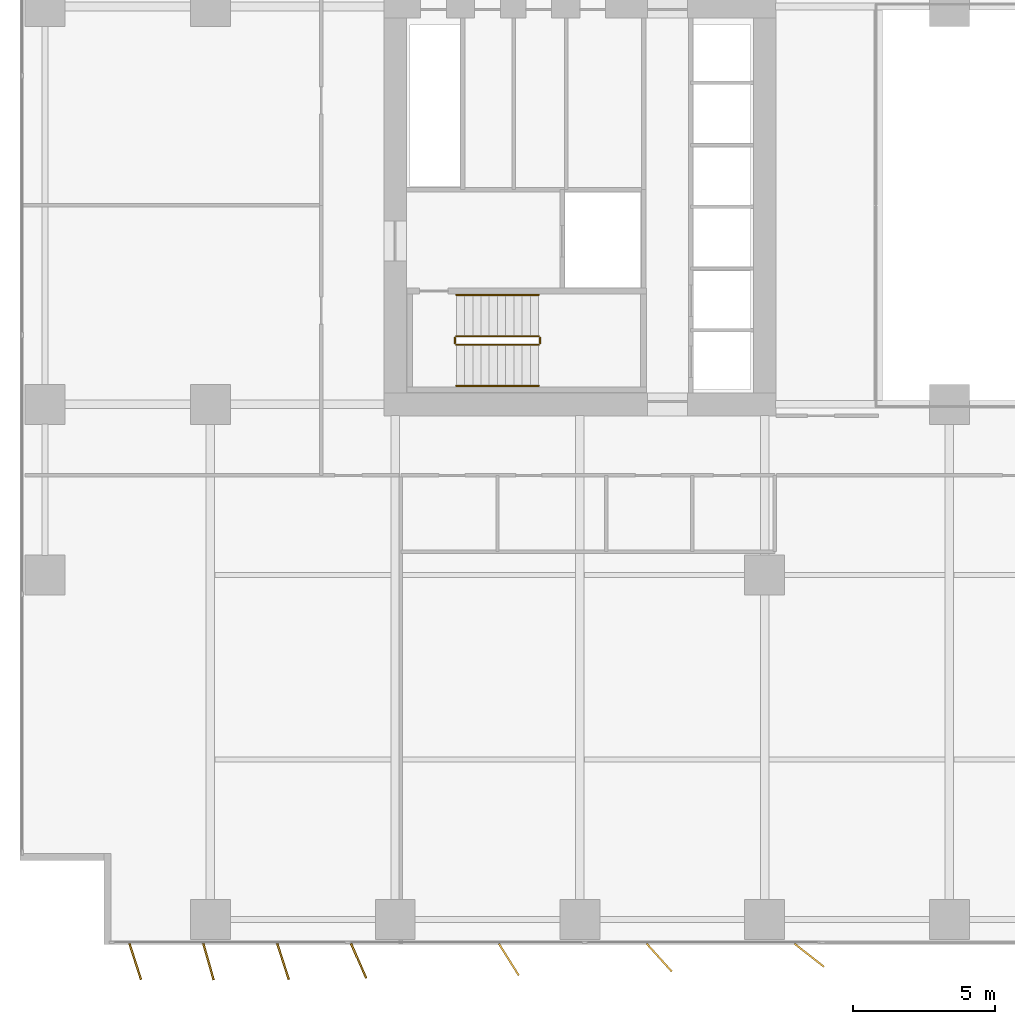
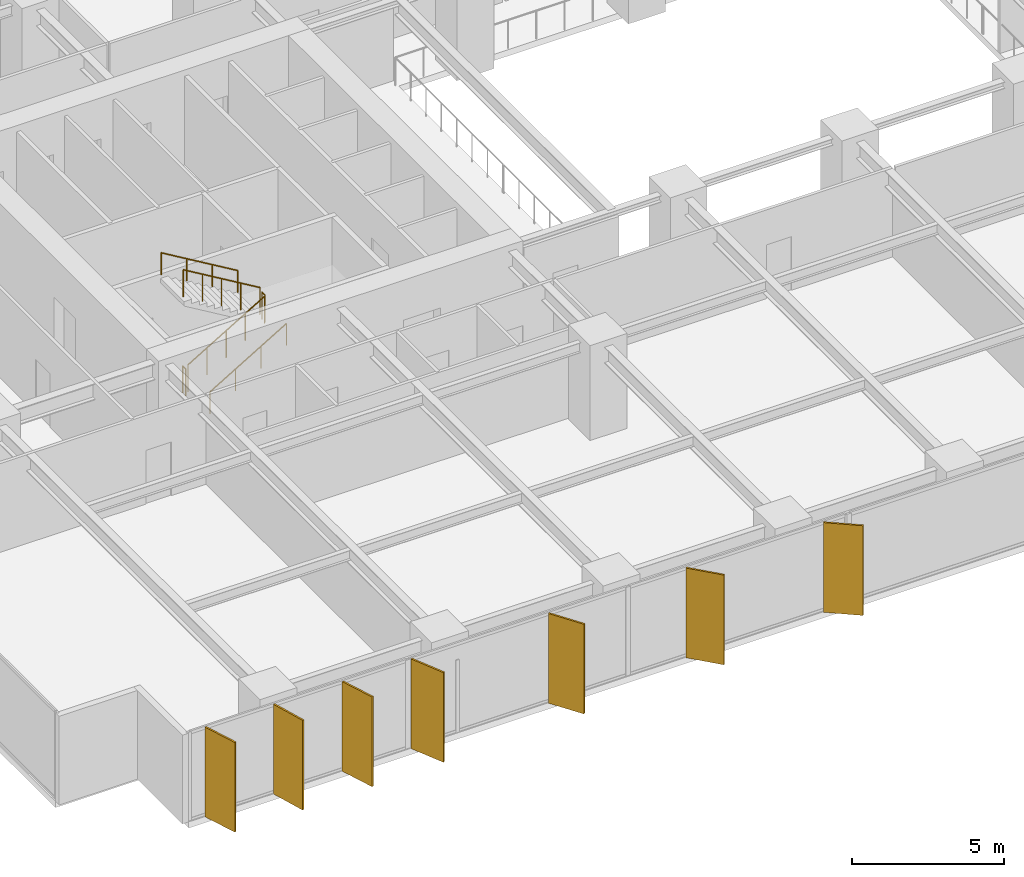
# One storey, part 17 of 20: 7 shading devices, 6 railings.
"""IFC4 building model written with IfcOpenShell, lengths in metres."""

from ifc_helpers import new_model, si_unit, direction, frame, origin, origin_2d, place, context, subcontext, project, spatial, rectangle, circle, extrude, material, layer, layer_set, type_object, element, save


model = new_model("IFC4")

# Units and contexts
model_context = context("Model", 3, precision=1e-05, world=origin(), true_north=direction((0.0, 1.0)))
body_context = subcontext(model_context, "Body", "Model", "MODEL_VIEW")
ifc_project = project(units=[si_unit("LENGTHUNIT", "METRE"), si_unit("AREAUNIT", "SQUARE_METRE"), si_unit("VOLUMEUNIT", "CUBIC_METRE"), si_unit("PLANEANGLEUNIT", "RADIAN"), si_unit("MASSUNIT", "GRAM", prefix="KILO")], contexts=[model_context])

# Site, building, storey
site_placement = place(None, origin())
site = spatial("IfcSite", under=ifc_project, at=site_placement, CompositionType="ELEMENT")
building_placement = place(site_placement, origin())
building = spatial("IfcBuilding", under=site, at=building_placement, Name="Putna Gate Headquarters", CompositionType="ELEMENT")
storey_placement = place(building_placement, frame((0.0, 0.0, 43.0)))
storey = spatial("IfcBuildingStorey", under=building, at=storey_placement, Name="L09", CompositionType="ELEMENT", Elevation=43.0)

# Railings
ifc_material_1 = material(Name="Powder-coated steel stair guardrail", Category="steel")
railing_type_1 = type_object("IfcRailingType", Name="RAIL-STAIR-GUARD-1100", PredefinedType="GUARDRAIL", material=ifc_material_1)
railing_1_placement = place(storey_placement, frame((15.14990234375, 21.10009765625, 0.172607421875)))
element("IfcRailing", 1, at=railing_1_placement, inside=storey, type_object=railing_type_1, Name="L09 ST1 stair guard 1", PredefinedType="GUARDRAIL", context=body_context, shape_type="SweptSolid", body=[
    extrude(circle(Radius=0.02392578125, at=origin_2d()), frame((0.0, 0.0, 1.076171875), z_axis=(0.859160404282, 0.0, 0.51170636083), x_axis=(0.0, 1.0, 0.0)), (0.0, 0.0, 1.0), 3.37548828125),
    extrude(circle(Radius=0.02099609375, at=origin_2d()), origin(), (0.0, 0.0, 1.0), 1.052001953125),
    extrude(circle(Radius=0.02099609375, at=origin_2d()), frame((0.72509765625, 0.0, 0.431884765625)), (0.0, 0.0, 1.0), 1.052001953125),
    extrude(circle(Radius=0.02099609375, at=origin_2d()), frame((1.4501953125, 0.0, 0.86376953125)), (0.0, 0.0, 1.0), 1.052001953125),
    extrude(circle(Radius=0.02099609375, at=origin_2d()), frame((2.175048828125, 0.0, 1.29541015625)), (0.0, 0.0, 1.0), 1.052001953125),
    extrude(circle(Radius=0.02099609375, at=origin_2d()), frame((2.900146484375, 0.0, 1.727294921875)), (0.0, 0.0, 1.0), 1.052001953125),
])
railing_2_placement = place(storey_placement, frame((18.10009765625, 21.14990234375, 1.89990234375)))
element("IfcRailing", 2, at=railing_2_placement, inside=storey, type_object=railing_type_1, Name="L09 ST1 stair guard 2", PredefinedType="GUARDRAIL", context=body_context, shape_type="SweptSolid", body=[
    extrude(circle(Radius=0.02392578125, at=origin_2d()), frame((0.0, 0.0, 1.076171875), z_axis=(0.0, 1.0, 0.0), x_axis=(-1.0, 0.0, 0.0)), (0.0, 0.0, 1.0), 0.2001953125),
    extrude(circle(Radius=0.02099609375, at=origin_2d()), origin(), (0.0, 0.0, 1.0), 1.052001953125),
    extrude(circle(Radius=0.02099609375, at=origin_2d()), frame((0.0, 0.2001953125, 0.0)), (0.0, 0.0, 1.0), 1.052001953125),
])
railing_3_placement = place(storey_placement, frame((18.050048828125, 21.39990234375, 2.07275390625)))
element("IfcRailing", 3, at=railing_3_placement, inside=storey, type_object=railing_type_1, Name="L09 ST1 stair guard 3", PredefinedType="GUARDRAIL", context=body_context, shape_type="SweptSolid", body=[
    extrude(circle(Radius=0.02392578125, at=origin_2d()), frame((0.0, 0.0, 1.076171875), z_axis=(-0.859160404282, 0.0, 0.51170636083), x_axis=(0.0, -1.0, 0.0)), (0.0, 0.0, 1.0), 3.37548828125),
    extrude(circle(Radius=0.02099609375, at=origin_2d()), origin(), (0.0, 0.0, 1.0), 1.052001953125),
    extrude(circle(Radius=0.02099609375, at=origin_2d()), frame((-0.72509765625, 0.0, 0.431884765625)), (0.0, 0.0, 1.0), 1.052001953125),
    extrude(circle(Radius=0.02099609375, at=origin_2d()), frame((-1.4501953125, 0.0, 0.86376953125)), (0.0, 0.0, 1.0), 1.052001953125),
    extrude(circle(Radius=0.02099609375, at=origin_2d()), frame((-2.175048828125, 0.0, 1.29541015625)), (0.0, 0.0, 1.0), 1.052001953125),
    extrude(circle(Radius=0.02099609375, at=origin_2d()), frame((-2.900146484375, 0.0, 1.727294921875)), (0.0, 0.0, 1.0), 1.052001953125),
])
railing_4_placement = place(storey_placement, frame((15.10009765625, 21.14990234375, 0.0)))
element("IfcRailing", 4, at=railing_4_placement, inside=storey, type_object=railing_type_1, Name="L09 ST1 stair guard 4", PredefinedType="GUARDRAIL", context=body_context, shape_type="SweptSolid", body=[
    extrude(circle(Radius=0.02392578125, at=origin_2d()), frame((0.0, 0.0, 1.076171875), z_axis=(0.0, 1.0, 0.0), x_axis=(-1.0, 0.0, 0.0)), (0.0, 0.0, 1.0), 0.2001953125),
    extrude(circle(Radius=0.02099609375, at=origin_2d()), origin(), (0.0, 0.0, 1.0), 1.052001953125),
    extrude(circle(Radius=0.02099609375, at=origin_2d()), frame((0.0, 0.2001953125, 0.0)), (0.0, 0.0, 1.0), 1.052001953125),
])
ifc_material_2 = material(Name="Brushed stainless steel handrail", Category="steel")
railing_type_2 = type_object("IfcRailingType", Name="RAIL-STAIR-HAND-900", PredefinedType="HANDRAIL", material=ifc_material_2)
railing_5_placement = place(storey_placement, frame((15.14990234375, 19.64990234375, 0.172607421875)))
element("IfcRailing", 5, at=railing_5_placement, inside=storey, type_object=railing_type_2, Name="L09 ST1 stair handrail 1", PredefinedType="HANDRAIL", context=body_context, shape_type="SweptSolid", body=[
    extrude(circle(Radius=0.02392578125, at=origin_2d()), frame((0.0, 0.0, 0.8759765625), z_axis=(0.859160404282, 0.0, 0.51170636083), x_axis=(0.0, 1.0, 0.0)), (0.0, 0.0, 1.0), 3.37548828125),
    extrude(circle(Radius=0.02099609375, at=origin_2d()), origin(), (0.0, 0.0, 1.0), 0.851806640625),
    extrude(circle(Radius=0.02099609375, at=origin_2d()), frame((0.966796875, 0.0, 0.57568359375)), (0.0, 0.0, 1.0), 0.851806640625),
    extrude(circle(Radius=0.02099609375, at=origin_2d()), frame((1.933349609375, 0.0, 1.151611328125)), (0.0, 0.0, 1.0), 0.851806640625),
    extrude(circle(Radius=0.02099609375, at=origin_2d()), frame((2.900146484375, 0.0, 1.727294921875)), (0.0, 0.0, 1.0), 0.851806640625),
])
railing_6_placement = place(storey_placement, frame((18.050048828125, 22.85009765625, 2.07275390625)))
element("IfcRailing", 6, at=railing_6_placement, inside=storey, type_object=railing_type_2, Name="L09 ST1 stair handrail 2", PredefinedType="HANDRAIL", context=body_context, shape_type="SweptSolid", body=[
    extrude(circle(Radius=0.02392578125, at=origin_2d()), frame((0.0, 0.0, 0.8759765625), z_axis=(-0.859160404282, 0.0, 0.51170636083), x_axis=(0.0, -1.0, 0.0)), (0.0, 0.0, 1.0), 3.37548828125),
    extrude(circle(Radius=0.02099609375, at=origin_2d()), origin(), (0.0, 0.0, 1.0), 0.851806640625),
    extrude(circle(Radius=0.02099609375, at=origin_2d()), frame((-0.966796875, 0.0, 0.57568359375)), (0.0, 0.0, 1.0), 0.851806640625),
    extrude(circle(Radius=0.02099609375, at=origin_2d()), frame((-1.933349609375, 0.0, 1.151611328125)), (0.0, 0.0, 1.0), 0.851806640625),
    extrude(circle(Radius=0.02099609375, at=origin_2d()), frame((-2.900146484375, 0.0, 1.727294921875)), (0.0, 0.0, 1.0), 0.851806640625),
])

# Shading devices
ifc_material_3 = material(Name="Anodised architectural bronze aluminium fin", Category="aluminium")
ifc_layer = layer(ifc_material_3, 0.06494140625)
ifc_layer_set = layer_set([ifc_layer], Name="Anodised architectural bronze aluminium fin")
shading_device_type = type_object("IfcShadingDeviceType", Name="SHADE-BRONZE-FIN-1320", PredefinedType="USERDEFINED", material=ifc_layer_set)
for number, where, z_axis, x_axis, name in (
    (7, (3.853759765625, -0.602783203125, -0.02001953125), (0.0, 0.0, 1.0), (0.308684994204, -0.951164325631, 0.0), "L09 Bronze Vertical Shading Fin S1"),
    (8, (6.431884765625, -0.609375, -0.02001953125), (0.0, 0.0, 1.0), (0.275637355817, -0.961261695938, 0.0), "L09 Bronze Vertical Shading Fin S2"),
    (9, (9.0537109375, -0.602783203125, -0.02001953125), (0.0, 0.0, 1.0), (0.308684994204, -0.951164325631, 0.0), "L09 Bronze Vertical Shading Fin S3"),
    (10, (11.71435546875, -0.57958984375, -0.02001953125), (0.0, 0.0, 1.0), (0.400668879095, -0.916222925562, 0.0), "L09 Bronze Vertical Shading Fin S4"),
    (11, (17.000244140625, -0.534423828125, -0.02001953125), (0.0, 0.0, 1.0), (0.530659123936, -0.847585331506, 0.0), "L09 Bronze Vertical Shading Fin S5"),
    (12, (22.29150390625, -0.465576171875, -0.02001953125), (0.0, 0.0, 1.0), (0.669130606359, -0.743144825477, 0.0), "L09 Bronze Vertical Shading Fin S6"),
    (13, (27.569580078125, -0.3818359375, -0.02001953125), (0.0, 0.0, 1.0), (0.787473187632, -0.616348909921, 0.0), "L09 Bronze Vertical Shading Fin S7"),
):
    element("IfcShadingDevice", number, at=place(storey_placement, frame(where, z_axis=z_axis, x_axis=x_axis)), inside=storey, type_object=shading_device_type, Name=name, ObjectType="FIN", PredefinedType="USERDEFINED", context=body_context, shape_type="SweptSolid", body=[
        extrude(rectangle(XDim=1.320068359375, YDim=0.06494140625, at=origin_2d()), origin(), (0.0, 0.0, 1.0), 3.590087890625),
    ])

save(model, "model.ifc")
